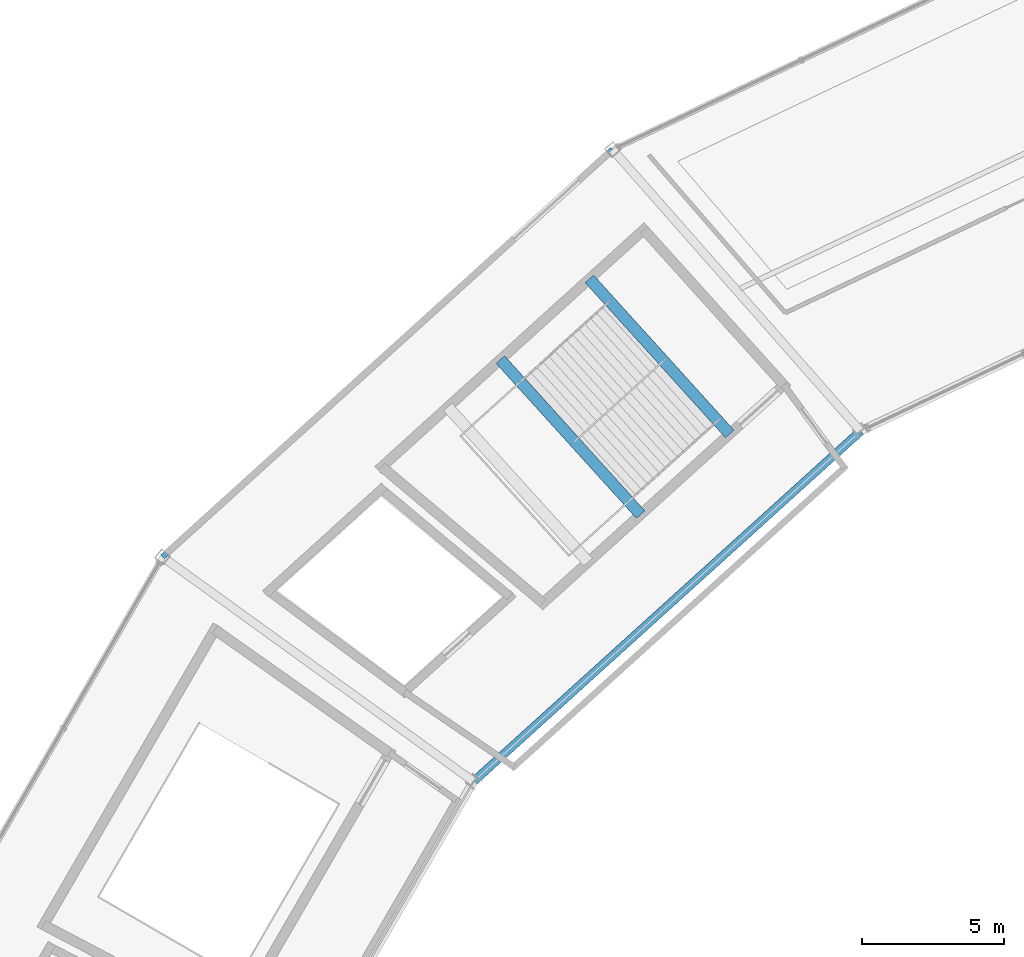
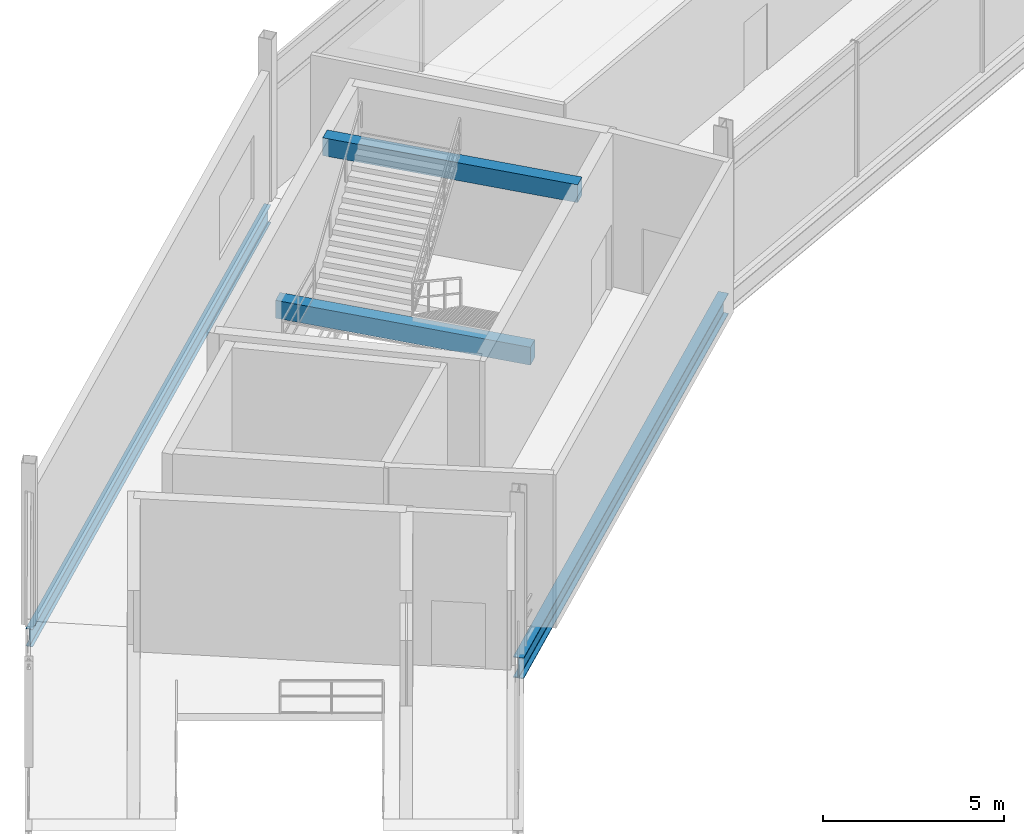
# One storey, part 50 of 86: 4 beams.
"""IFC4 building model written with IfcOpenShell, lengths in metres."""

from ifc_helpers import new_model, si_unit, direction, frame, origin, origin_2d, place, context, subcontext, project, spatial, rectangle, i_section, extrude, material, material_profile, profile_set, type_object, element, save


model = new_model("IFC4")

# Units and contexts
model_context = context("Model", 3, precision=1e-05, world=origin(), true_north=direction((0.0, 1.0)))
body_context = subcontext(model_context, "Body", "Model", "MODEL_VIEW")
ifc_project = project(units=[si_unit("LENGTHUNIT", "METRE"), si_unit("AREAUNIT", "SQUARE_METRE"), si_unit("VOLUMEUNIT", "CUBIC_METRE"), si_unit("PLANEANGLEUNIT", "RADIAN"), si_unit("MASSUNIT", "GRAM", prefix="KILO")], contexts=[model_context])

# Site, building, storey
site_placement = place(None, origin())
site = spatial("IfcSite", under=ifc_project, at=site_placement, CompositionType="ELEMENT")
building_placement = place(site_placement, origin())
building = spatial("IfcBuilding", under=site, at=building_placement, Name="Kazemori Nagisa Stadium", CompositionType="ELEMENT")
storey_placement = place(building_placement, frame((0.0, 0.0, 31.280029296875)))
storey = spatial("IfcBuildingStorey", under=building, at=storey_placement, Name="L06", CompositionType="ELEMENT", Elevation=31.280029296875)

# Beams
ifc_material_1 = material(Name="Steel SN490B", Category="steel")
ifc_material_profile_1 = material_profile(ifc_material_1, i_section(OverallWidth=0.300048828125, OverallDepth=0.699951171875, WebThickness=0.012939453125, FlangeThickness=0.02392578125, FilletRadius=0.01806640625, at=origin_2d()), Name="H-700x300x13x24")
ifc_profile_set_1 = profile_set([ifc_material_profile_1], Name="Steel SN490B")
beam_type_1 = type_object("IfcBeamType", Name="Beam_BG-H700", PredefinedType="BEAM", material=ifc_profile_set_1)
beam_1_placement = place(storey_placement, frame((69.165771484375, 163.11083984375, -0.610107421875), z_axis=(-0.741349142139, -0.671119549298, 0.0), x_axis=(0.671119549298, -0.741349142139, 0.0)))
element("IfcBeam", 1, at=beam_1_placement, inside=storey, type_object=beam_type_1, Name="Ring girder BG-H700 L06 R2-11", PredefinedType="BEAM", context=body_context, shape_type="SweptSolid", body=[
    extrude(i_section(OverallWidth=0.300048828125, OverallDepth=0.699951171875, WebThickness=0.012939453125, FlangeThickness=0.02392578125, FilletRadius=0.01806640625, at=origin_2d()), origin(), (0.0, 0.0, 1.0), 18.44189453125),
])
ifc_material_2 = material(Name="Concrete C40/50 (Fc42)", Category="concrete")
ifc_material_profile_2 = material_profile(ifc_material_2, rectangle(XDim=0.39990234375, YDim=0.60009765625, at=origin_2d()), Name="RC-BM-400x600")
ifc_profile_set_2 = profile_set([ifc_material_profile_2], Name="Concrete C40/50 (Fc42)")
beam_type_2 = type_object("IfcBeamType", Name="Beam_BG-LND400X600", PredefinedType="BEAM", material=ifc_profile_set_2)
beam_2_placement = place(storey_placement, frame((61.39599609375, 160.164306640625, 2.219970703125), z_axis=(-0.671095068472, 0.741371303108, 0.0), x_axis=(-0.741371303108, -0.671095068472, 0.0)))
element("IfcBeam", 2, at=beam_2_placement, inside=storey, type_object=beam_type_2, Name="Core stair mid-landing girder ST02-L06-1", PredefinedType="BEAM", context=body_context, shape_type="SweptSolid", body=[
    extrude(rectangle(XDim=0.39990234375, YDim=0.60009765625, at=origin_2d()), origin(), (0.0, 0.0, 1.0), 7.3857421875),
])
beam_3_placement = place(storey_placement, frame((64.543212890625, 163.01318359375, 4.85986328125), z_axis=(-0.671113236271, 0.74135485707, 0.0), x_axis=(-0.74135485707, -0.671113236271, 0.0)))
element("IfcBeam", 3, at=beam_3_placement, inside=storey, type_object=beam_type_2, Name="Core stair arrival header girder ST02-L06", PredefinedType="BEAM", context=body_context, shape_type="SweptSolid", body=[
    extrude(rectangle(XDim=0.39990234375, YDim=0.60009765625, at=origin_2d()), origin(), (0.0, 0.0, 1.0), 7.385986328125),
])
ifc_material_profile_3 = material_profile(ifc_material_1, i_section(OverallWidth=0.199951171875, OverallDepth=0.60009765625, WebThickness=0.010986328125, FlangeThickness=0.01708984375, FilletRadius=0.012939453125, at=origin_2d()), Name="H-600x200x11x17")
ifc_profile_set_3 = profile_set([ifc_material_profile_3], Name="Steel SN490B")
beam_type_3 = type_object("IfcBeamType", Name="Beam_BS-H600", PredefinedType="SPANDREL", material=ifc_profile_set_3)
beam_4_placement = place(storey_placement, frame((60.402099609375, 173.05908203125, -0.56005859375), z_axis=(-0.741351531326, -0.671116910084, 0.0), x_axis=(0.671116910084, -0.741351531326, 0.0)))
element("IfcBeam", 4, at=beam_4_placement, inside=storey, type_object=beam_type_3, Name="Ring girder BS-H600 L06 R3-11", PredefinedType="SPANDREL", context=body_context, shape_type="SweptSolid", body=[
    extrude(i_section(OverallWidth=0.199951171875, OverallDepth=0.60009765625, WebThickness=0.010986328125, FlangeThickness=0.01708984375, FilletRadius=0.012939453125, at=origin_2d()), origin(), (0.0, 0.0, 1.0), 21.44384765625),
])

save(model, "model.ifc")
